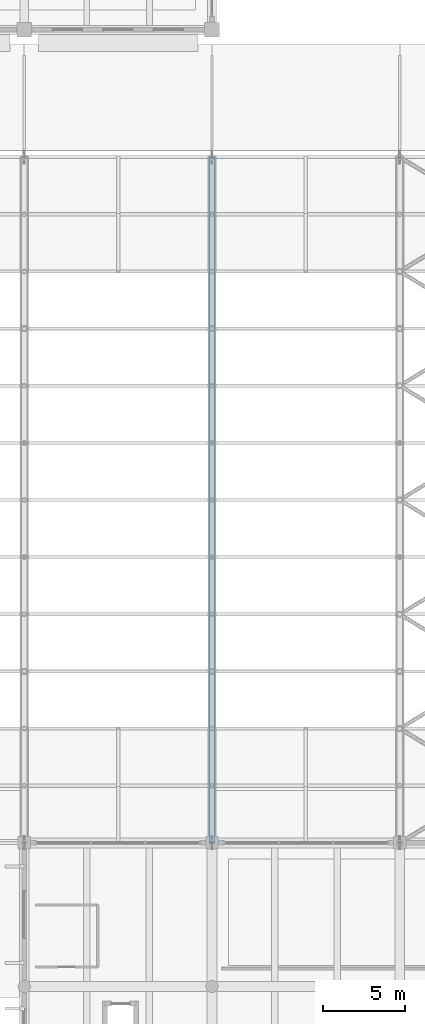
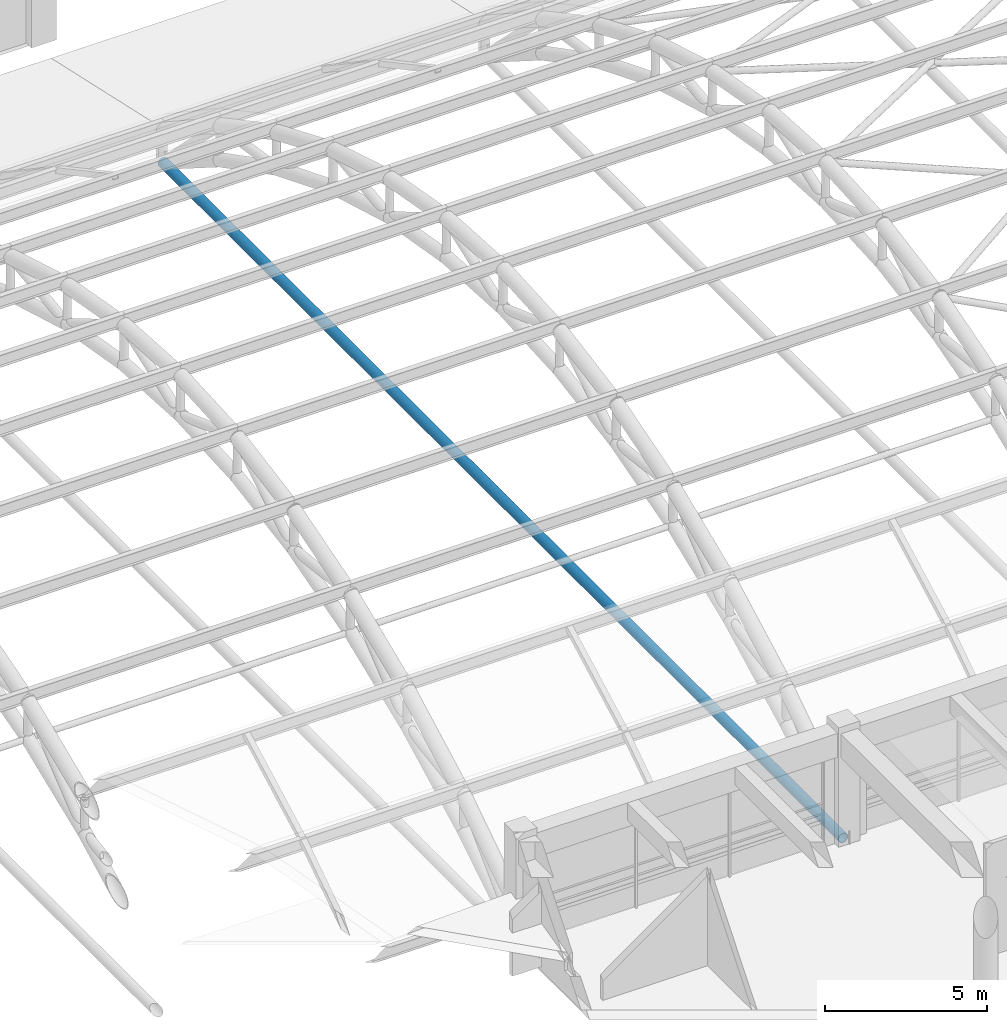
# One storey, part 51 of 154: 1 member.
"""IFC4 building model written with IfcOpenShell, lengths in metres."""

from ifc_helpers import new_model, si_unit, direction, frame, origin, origin_2d, place, context, subcontext, project, spatial, hollow_circle, extrude, material, material_profile, profile_set, type_object, element, save


model = new_model("IFC4")

# Units and contexts
model_context = context("Model", 3, precision=1e-05, world=origin(), true_north=direction((0.0, 1.0)))
body_context = subcontext(model_context, "Body", "Model", "MODEL_VIEW")
ifc_project = project(units=[si_unit("LENGTHUNIT", "METRE"), si_unit("AREAUNIT", "SQUARE_METRE"), si_unit("VOLUMEUNIT", "CUBIC_METRE"), si_unit("PLANEANGLEUNIT", "RADIAN"), si_unit("MASSUNIT", "GRAM", prefix="KILO")], contexts=[model_context])

# Site, building, storey
site_placement = place(None, origin())
site = spatial("IfcSite", under=ifc_project, at=site_placement, CompositionType="ELEMENT")
building_placement = place(site_placement, origin())
building = spatial("IfcBuilding", under=site, at=building_placement, Name="Ologun Quay Terminus", CompositionType="ELEMENT")
storey_placement = place(building_placement, frame((0.0, 0.0, 13.800048828125)))
storey = spatial("IfcBuildingStorey", under=building, at=storey_placement, Name="L03", CompositionType="ELEMENT", Elevation=13.800048828125)

# Member
ifc_material = material(Name="Steel S355", Category="steel")
ifc_material_profile = material_profile(ifc_material, hollow_circle(Radius=0.177734375, WallThickness=0.012451171875, at=origin_2d()), Name="CHS 355.6x12.5")
ifc_profile_set = profile_set([ifc_material_profile], Name="Steel S355")
member_type = type_object("IfcMemberType", Name="Arch Horizontal Tie Chord CHS355", PredefinedType="CHORD", material=ifc_profile_set)
member_placement = place(storey_placement, frame((69.0, 36.0, 0.0), z_axis=(0.0, 1.0, 0.0), x_axis=(-1.0, 0.0, 0.0)))
element("IfcMember", 1, at=member_placement, inside=storey, type_object=member_type, Name="AT1 Arch Tie Chord Grid 7", PredefinedType="CHORD", context=body_context, shape_type="SweptSolid", body=[
    extrude(hollow_circle(Radius=0.177734375, WallThickness=0.012451171875, at=origin_2d()), origin(), (0.0, 0.0, 1.0), 42.0),
])

save(model, "model.ifc")
